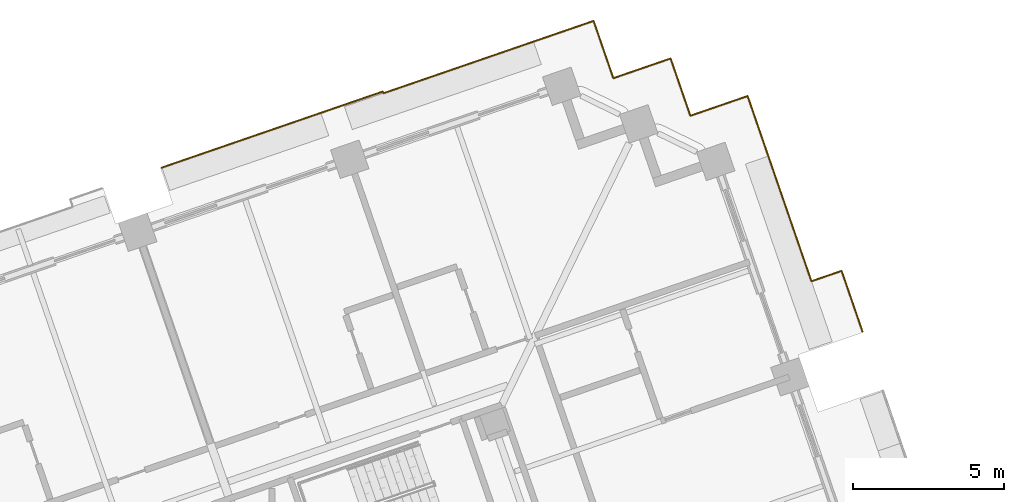
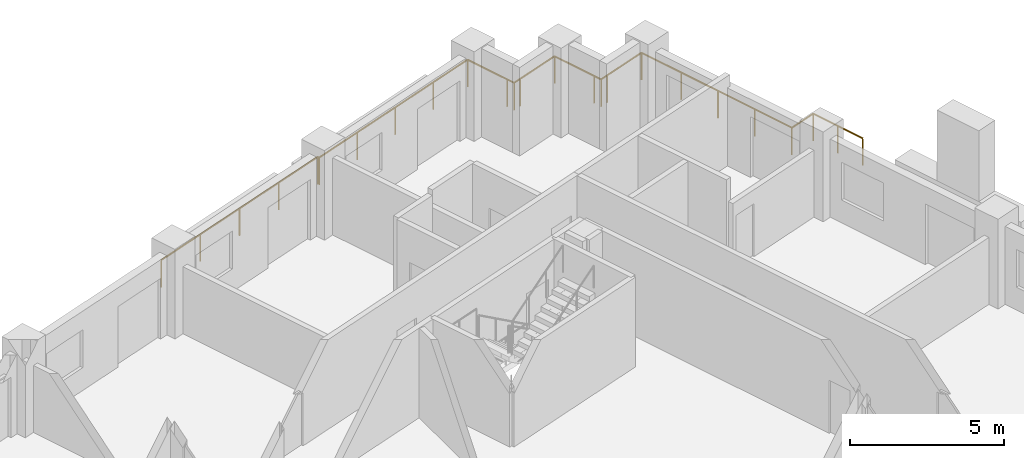
# One storey, part 21 of 22: 2 railings.
"""IFC4 building model written with IfcOpenShell, lengths in metres."""

from ifc_helpers import new_model, si_unit, direction, frame, origin, origin_2d, place, context, subcontext, project, spatial, circle, extrude, material, type_object, element, save


model = new_model("IFC4")

# Units and contexts
model_context = context("Model", 3, precision=1e-05, world=origin(), true_north=direction((0.0, 1.0)))
body_context = subcontext(model_context, "Body", "Model", "MODEL_VIEW")
ifc_project = project(units=[si_unit("LENGTHUNIT", "METRE"), si_unit("AREAUNIT", "SQUARE_METRE"), si_unit("VOLUMEUNIT", "CUBIC_METRE"), si_unit("PLANEANGLEUNIT", "RADIAN"), si_unit("MASSUNIT", "GRAM", prefix="KILO")], contexts=[model_context])

# Site, building, storey
site_placement = place(None, origin())
site = spatial("IfcSite", under=ifc_project, at=site_placement, CompositionType="ELEMENT")
building_placement = place(site_placement, origin())
building = spatial("IfcBuilding", under=site, at=building_placement, Name="Cantera Rosa Tower", CompositionType="ELEMENT")
storey_placement = place(building_placement, frame((0.0, 0.0, 107.89990234375)))
storey = spatial("IfcBuildingStorey", under=building, at=storey_placement, Name="L21", CompositionType="ELEMENT", Elevation=107.89990234375)

# Railings
ifc_material = material(Name="Stainless steel and laminated glass", Category="steel")
railing_type = type_object("IfcRailingType", Name="GUARD 1100", PredefinedType="BALUSTRADE", material=ifc_material)
railing_1_placement = place(storey_placement, frame((19.705810546875, 28.466552734375, 0.0)))
element("IfcRailing", 1, at=railing_1_placement, inside=storey, type_object=railing_type, Name="GUARD L21-12", PredefinedType="BALUSTRADE", context=body_context, shape_type="SweptSolid", body=[
    extrude(circle(Radius=0.030029296875, at=origin_2d()), frame((0.0, 0.0, 1.070068359375), z_axis=(0.325561349174, -0.945520918819, 0.0), x_axis=(0.945520918819, 0.325561349174, 0.0)), (0.0, 0.0, 1.0), 1.699951171875),
    extrude(circle(Radius=0.030029296875, at=origin_2d()), frame((0.553466796875, -1.607421875, 1.070068359375), z_axis=(0.325586514442, -0.94551225355, 0.0), x_axis=(0.94551225355, 0.325586514442, 0.0)), (0.0, 0.0, 1.0), 4.76611328125),
    extrude(circle(Radius=0.030029296875, at=origin_2d()), frame((2.105224609375, -6.11376953125, 1.070068359375), z_axis=(0.945557453336, 0.325455223404, 0.0), x_axis=(-0.325455223404, 0.945557453336, 0.0)), (0.0, 0.0, 1.0), 1.053955078125),
    extrude(circle(Radius=0.030029296875, at=origin_2d()), frame((3.101806640625, -5.770751953125, 1.070068359375), z_axis=(0.325523047431, -0.945534105991, 0.0), x_axis=(0.945534105991, 0.325523047431, 0.0)), (0.0, 0.0, 1.0), 2.1240234375),
    extrude(circle(Radius=0.02490234375, at=origin_2d()), origin(), (0.0, 0.0, 1.0), 1.0400390625),
    extrude(circle(Radius=0.02490234375, at=origin_2d()), frame((0.553466796875, -1.607421875, 0.0)), (0.0, 0.0, 1.0), 1.0400390625),
    extrude(circle(Radius=0.02490234375, at=origin_2d()), frame((1.07080078125, -3.109619140625, 0.0)), (0.0, 0.0, 1.0), 1.0400390625),
    extrude(circle(Radius=0.02490234375, at=origin_2d()), frame((1.587890625, -4.611572265625, 0.0)), (0.0, 0.0, 1.0), 1.0400390625),
    extrude(circle(Radius=0.02490234375, at=origin_2d()), frame((2.105224609375, -6.11376953125, 0.0)), (0.0, 0.0, 1.0), 1.0400390625),
    extrude(circle(Radius=0.02490234375, at=origin_2d()), frame((3.101806640625, -5.770751953125, 0.0)), (0.0, 0.0, 1.0), 1.0400390625),
    extrude(circle(Radius=0.02490234375, at=origin_2d()), frame((3.447509765625, -6.77490234375, 0.0)), (0.0, 0.0, 1.0), 1.0400390625),
    extrude(circle(Radius=0.02490234375, at=origin_2d()), frame((3.793212890625, -7.779052734375, 0.0)), (0.0, 0.0, 1.0), 1.0400390625),
])
railing_2_placement = place(storey_placement, frame((0.3525390625, 26.09814453125, 0.0)))
element("IfcRailing", 2, at=railing_2_placement, inside=storey, type_object=railing_type, Name="GUARD L21-13", PredefinedType="BALUSTRADE", context=body_context, shape_type="SweptSolid", body=[
    extrude(circle(Radius=0.030029296875, at=origin_2d()), frame((0.0, 0.0, 1.070068359375), z_axis=(0.945517189381, 0.325572180299, 0.0), x_axis=(-0.325572180299, 0.945517189381, 0.0)), (0.0, 0.0, 1.0), 7.731201171875),
    extrude(circle(Radius=0.030029296875, at=origin_2d()), frame((7.31005859375, 2.51708984375, 1.070068359375), z_axis=(0.325745820547, -0.945457381587, 0.0), x_axis=(0.945457381587, 0.325745820547, 0.0)), (0.0, 0.0, 1.0), 0.0615234375),
    extrude(circle(Radius=0.030029296875, at=origin_2d()), frame((7.330078125, 2.458984375, 1.070068359375), z_axis=(0.945524258857, 0.32555164861, 0.0), x_axis=(-0.32555164861, 0.945524258857, 0.0)), (0.0, 0.0, 1.0), 5.638671875),
    extrude(circle(Radius=0.030029296875, at=origin_2d()), frame((12.66162109375, 4.294677734375, 1.070068359375), z_axis=(0.945520918819, 0.325561349174, 0.0), x_axis=(-0.325561349174, 0.945520918819, 0.0)), (0.0, 0.0, 1.0), 1.699951171875),
    extrude(circle(Radius=0.030029296875, at=origin_2d()), frame((14.26904296875, 4.84814453125, 1.070068359375), z_axis=(0.325561349174, -0.945520918819, 0.0), x_axis=(0.945520918819, 0.325561349174, 0.0)), (0.0, 0.0, 1.0), 1.699951171875),
    extrude(circle(Radius=0.030029296875, at=origin_2d()), frame((14.822509765625, 3.24072265625, 1.070068359375), z_axis=(0.325489086777, -0.945545797087, 0.0), x_axis=(0.945545797087, 0.325489086777, 0.0)), (0.0, 0.0, 1.0), 0.300048828125),
    extrude(circle(Radius=0.030029296875, at=origin_2d()), frame((14.920166015625, 2.95703125, 1.070068359375), z_axis=(0.945459489149, 0.325739703411, 0.0), x_axis=(-0.325739703411, 0.945459489149, 0.0)), (0.0, 0.0, 1.0), 0.2998046875),
    extrude(circle(Radius=0.030029296875, at=origin_2d()), frame((15.20361328125, 3.0546875, 1.070068359375), z_axis=(0.945520918819, 0.325561349174, 0.0), x_axis=(-0.325561349174, 0.945520918819, 0.0)), (0.0, 0.0, 1.0), 1.699951171875),
    extrude(circle(Radius=0.030029296875, at=origin_2d()), frame((16.81103515625, 3.608154296875, 1.070068359375), z_axis=(0.325605561237, -0.945505694584, 0.0), x_axis=(0.945505694584, 0.325605561237, 0.0)), (0.0, 0.0, 1.0), 1.69970703125),
    extrude(circle(Radius=0.030029296875, at=origin_2d()), frame((17.364501953125, 2.0009765625, 1.070068359375), z_axis=(0.325489086777, -0.945545797087, 0.0), x_axis=(0.945545797087, 0.325489086777, 0.0)), (0.0, 0.0, 1.0), 0.300048828125),
    extrude(circle(Radius=0.030029296875, at=origin_2d()), frame((17.462158203125, 1.71728515625, 1.070068359375), z_axis=(0.945545797087, 0.325489086777, 0.0), x_axis=(-0.325489086777, 0.945545797087, 0.0)), (0.0, 0.0, 1.0), 0.300048828125),
    extrude(circle(Radius=0.030029296875, at=origin_2d()), frame((17.745849609375, 1.81494140625, 1.070068359375), z_axis=(0.945520918819, 0.325561349174, 0.0), x_axis=(-0.325561349174, 0.945520918819, 0.0)), (0.0, 0.0, 1.0), 1.699951171875),
    extrude(circle(Radius=0.02490234375, at=origin_2d()), origin(), (0.0, 0.0, 1.0), 1.0400390625),
    extrude(circle(Radius=0.02490234375, at=origin_2d()), frame((1.82763671875, 0.62939453125, 0.0)), (0.0, 0.0, 1.0), 1.0400390625),
    extrude(circle(Radius=0.02490234375, at=origin_2d()), frame((3.655029296875, 1.258544921875, 0.0)), (0.0, 0.0, 1.0), 1.0400390625),
    extrude(circle(Radius=0.02490234375, at=origin_2d()), frame((5.482421875, 1.8876953125, 0.0)), (0.0, 0.0, 1.0), 1.0400390625),
    extrude(circle(Radius=0.02490234375, at=origin_2d()), frame((7.31005859375, 2.51708984375, 0.0)), (0.0, 0.0, 1.0), 1.0400390625),
    extrude(circle(Radius=0.02490234375, at=origin_2d()), frame((7.330078125, 2.458984375, 0.0)), (0.0, 0.0, 1.0), 1.0400390625),
    extrude(circle(Radius=0.02490234375, at=origin_2d()), frame((9.107177734375, 3.07080078125, 0.0)), (0.0, 0.0, 1.0), 1.0400390625),
    extrude(circle(Radius=0.02490234375, at=origin_2d()), frame((10.884521484375, 3.682861328125, 0.0)), (0.0, 0.0, 1.0), 1.0400390625),
    extrude(circle(Radius=0.02490234375, at=origin_2d()), frame((12.66162109375, 4.294677734375, 0.0)), (0.0, 0.0, 1.0), 1.0400390625),
    extrude(circle(Radius=0.02490234375, at=origin_2d()), frame((14.26904296875, 4.84814453125, 0.0)), (0.0, 0.0, 1.0), 1.0400390625),
    extrude(circle(Radius=0.02490234375, at=origin_2d()), frame((14.822509765625, 3.24072265625, 0.0)), (0.0, 0.0, 1.0), 1.0400390625),
    extrude(circle(Radius=0.02490234375, at=origin_2d()), frame((14.920166015625, 2.95703125, 0.0)), (0.0, 0.0, 1.0), 1.0400390625),
    extrude(circle(Radius=0.02490234375, at=origin_2d()), frame((15.20361328125, 3.0546875, 0.0)), (0.0, 0.0, 1.0), 1.0400390625),
    extrude(circle(Radius=0.02490234375, at=origin_2d()), frame((16.81103515625, 3.608154296875, 0.0)), (0.0, 0.0, 1.0), 1.0400390625),
    extrude(circle(Radius=0.02490234375, at=origin_2d()), frame((17.364501953125, 2.0009765625, 0.0)), (0.0, 0.0, 1.0), 1.0400390625),
    extrude(circle(Radius=0.02490234375, at=origin_2d()), frame((17.462158203125, 1.71728515625, 0.0)), (0.0, 0.0, 1.0), 1.0400390625),
    extrude(circle(Radius=0.02490234375, at=origin_2d()), frame((17.745849609375, 1.81494140625, 0.0)), (0.0, 0.0, 1.0), 1.0400390625),
    extrude(circle(Radius=0.02490234375, at=origin_2d()), frame((19.353271484375, 2.368408203125, 0.0)), (0.0, 0.0, 1.0), 1.0400390625),
])

save(model, "model.ifc")
